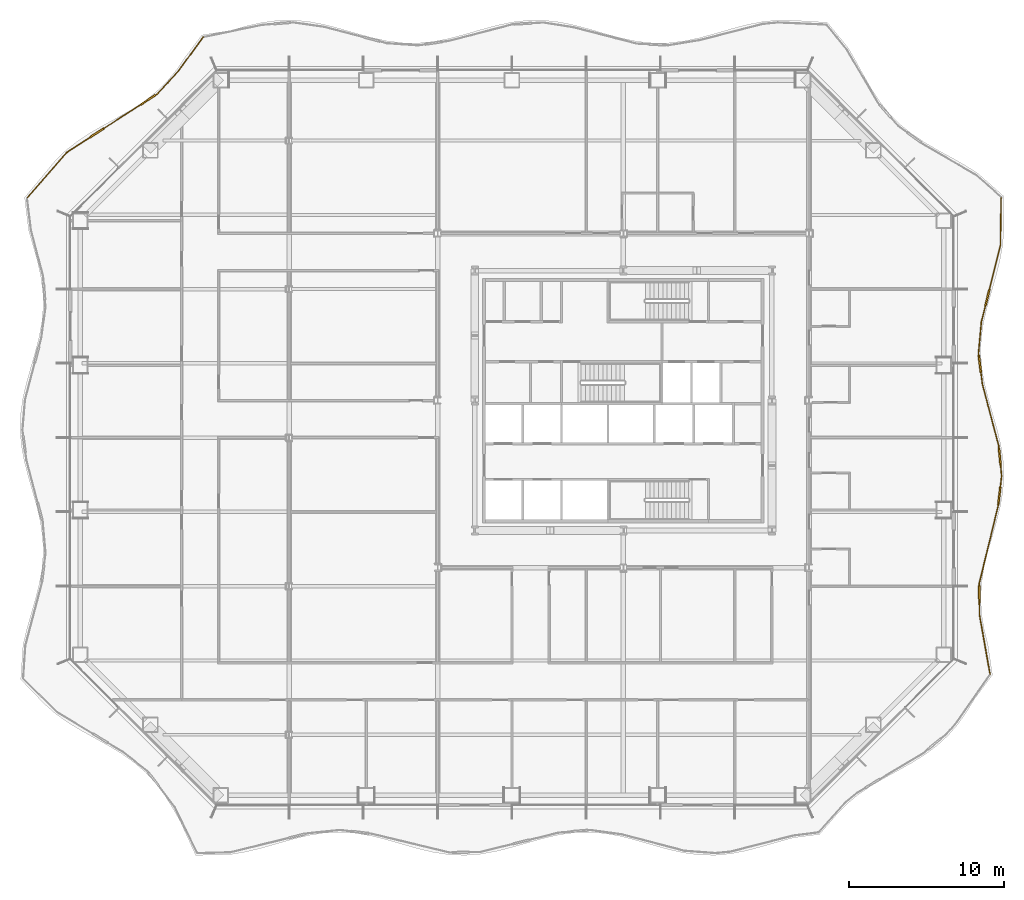
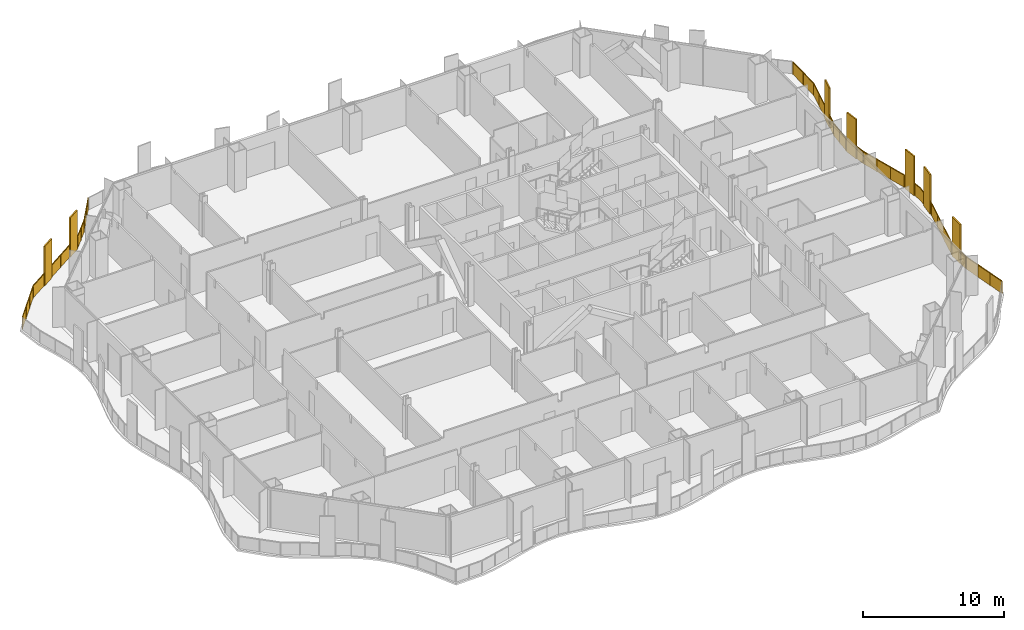
# One storey, part 18 of 20: 2 railings.
"""IFC4 building model written with IfcOpenShell, lengths in metres."""

from ifc_helpers import new_model, si_unit, direction, frame, origin, origin_2d, place, context, subcontext, project, spatial, polyline, rectangle, outline, extrude, material, type_object, element, save


model = new_model("IFC4")

# Units and contexts
model_context = context("Model", 3, precision=1e-05, world=origin(), true_north=direction((0.0, 1.0)))
body_context = subcontext(model_context, "Body", "Model", "MODEL_VIEW")
ifc_project = project(units=[si_unit("LENGTHUNIT", "METRE"), si_unit("AREAUNIT", "SQUARE_METRE"), si_unit("VOLUMEUNIT", "CUBIC_METRE"), si_unit("PLANEANGLEUNIT", "RADIAN"), si_unit("MASSUNIT", "GRAM", prefix="KILO")], contexts=[model_context])

# Site, building, storey
site_placement = place(None, origin())
site = spatial("IfcSite", under=ifc_project, at=site_placement, CompositionType="ELEMENT")
building_placement = place(site_placement, origin())
building = spatial("IfcBuilding", under=site, at=building_placement, Name="Cairn Pilgrim Tower", CompositionType="ELEMENT")
storey_placement = place(building_placement, frame((0.0, 0.0, 51.0)))
storey = spatial("IfcBuildingStorey", under=building, at=storey_placement, Name="L10", CompositionType="ELEMENT", Elevation=51.0)

# Railings
ifc_material = material(Name="Bronze anodised aluminium rail, posts and fin screens with laminated glass infill", Category="aluminium")
railing_type = type_object("IfcRailingType", Name="BALCONY GUARD WITH FIN SCREENS", PredefinedType="GUARDRAIL", material=ifc_material)
railing_1_placement = place(storey_placement, frame((30.8984375, -15.2998046875, 0.0)))
element("IfcRailing", 1, at=railing_1_placement, inside=storey, type_object=railing_type, Name="Balcony guard BGF-3 with fin screens", PredefinedType="GUARDRAIL", context=body_context, shape_type="SweptSolid", body=[
    extrude(rectangle(XDim=0.050048828125, YDim=0.050048828125, at=origin_2d()), frame((0.0, 0.0, 1.0751953125), z_axis=(-0.17480693938, 0.984602728995, 0.0), x_axis=(-0.984602728995, -0.17480693938, 0.0)), (0.0, 0.0, 1.0), 3.926025390625),
    extrude(rectangle(XDim=1.10009765625, YDim=0.110107421875, at=origin_2d()), frame((-0.69384765625, 5.182861328125, 0.0), z_axis=(0.0, 0.0, 1.0), x_axis=(-0.005687914766, 0.999983823682, 0.0)), (0.0, 0.0, 1.0), 3.39990234375),
    extrude(rectangle(XDim=0.050048828125, YDim=0.050048828125, at=origin_2d()), frame((-0.686279296875, 3.865478515625, 1.0751953125), z_axis=(-0.005687914766, 0.999983823682, 0.0), x_axis=(-0.999983823682, -0.005687914766, 0.0)), (0.0, 0.0, 1.0), 0.767578125),
    extrude(rectangle(XDim=0.050048828125, YDim=0.050048828125, at=origin_2d()), frame((-0.697021484375, 5.73291015625, 1.0751953125), z_axis=(-0.005687914766, 0.999983823682, 0.0), x_axis=(-0.999983823682, -0.005687914766, 0.0)), (0.0, 0.0, 1.0), 0.14990234375),
    extrude(rectangle(XDim=0.050048828125, YDim=0.050048828125, at=origin_2d()), frame((-0.69775390625, 5.8828125, 1.0751953125), z_axis=(0.236731159612, 0.971575194243, 0.0), x_axis=(-0.971575194243, 0.236731159612, 0.0)), (0.0, 0.0, 1.0), 5.120361328125),
    extrude(rectangle(XDim=1.10009765625, YDim=0.110107421875, at=origin_2d()), frame((0.597900390625, 11.552734375, 0.0), z_axis=(0.0, 0.0, 1.0), x_axis=(0.119286575006, 0.992859865753, 0.0)), (0.0, 0.0, 1.0), 3.39990234375),
    extrude(rectangle(XDim=0.050048828125, YDim=0.050048828125, at=origin_2d()), frame((0.514404296875, 10.857666015625, 1.0751953125), z_axis=(0.119286575006, 0.992859865753, 0.0), x_axis=(-0.992859865753, 0.119286575006, 0.0)), (0.0, 0.0, 1.0), 0.14990234375),
    extrude(rectangle(XDim=0.050048828125, YDim=0.050048828125, at=origin_2d()), frame((0.66357421875, 12.0986328125, 1.0751953125), z_axis=(0.119286575006, 0.992859865753, 0.0), x_axis=(-0.992859865753, 0.119286575006, 0.0)), (0.0, 0.0, 1.0), 0.72509765625),
    extrude(rectangle(XDim=1.10009765625, YDim=0.110107421875, at=origin_2d()), frame((0.62646484375, 14.079833984375, 0.0), z_axis=(0.0, 0.0, 1.0), x_axis=(-0.09753768333, 0.995231832454, 0.0)), (0.0, 0.0, 1.0), 3.39990234375),
    extrude(rectangle(XDim=0.050048828125, YDim=0.050048828125, at=origin_2d()), frame((0.75, 12.818603515625, 1.0751953125), z_axis=(-0.09753768333, 0.995231832454, 0.0), x_axis=(-0.995231832454, -0.09753768333, 0.0)), (0.0, 0.0, 1.0), 0.71728515625),
    extrude(rectangle(XDim=0.050048828125, YDim=0.050048828125, at=origin_2d()), frame((0.57275390625, 14.627197265625, 1.0751953125), z_axis=(-0.09753768333, 0.995231832454, 0.0), x_axis=(-0.995231832454, -0.09753768333, 0.0)), (0.0, 0.0, 1.0), 0.150146484375),
    extrude(rectangle(XDim=0.050048828125, YDim=0.050048828125, at=origin_2d()), frame((0.55810546875, 14.776611328125, 1.0751953125), z_axis=(-0.256286245796, 0.96660093121, 0.0), x_axis=(-0.96660093121, -0.256286245796, 0.0)), (0.0, 0.0, 1.0), 4.107666015625),
    extrude(rectangle(XDim=1.10009765625, YDim=0.110107421875, at=origin_2d()), frame((-0.660400390625, 20.06494140625, 0.0), z_axis=(0.0, 0.0, 1.0), x_axis=(-0.124834762775, 0.992177545605, 0.0)), (0.0, 0.0, 1.0), 3.39990234375),
    extrude(rectangle(XDim=0.050048828125, YDim=0.050048828125, at=origin_2d()), frame((-0.49462890625, 18.7470703125, 1.0751953125), z_axis=(-0.124834762775, 0.992177545605, 0.0), x_axis=(-0.992177545605, -0.124834762775, 0.0)), (0.0, 0.0, 1.0), 0.7783203125),
    extrude(rectangle(XDim=0.050048828125, YDim=0.050048828125, at=origin_2d()), frame((-0.72900390625, 20.610595703125, 1.0751953125), z_axis=(-0.124834762775, 0.992177545605, 0.0), x_axis=(-0.992177545605, -0.124834762775, 0.0)), (0.0, 0.0, 1.0), 0.14990234375),
    extrude(rectangle(XDim=0.050048828125, YDim=0.050048828125, at=origin_2d()), frame((-0.747802734375, 20.75927734375, 1.0751953125), z_axis=(0.09174382448, 0.995782642282, 0.0), x_axis=(-0.995782642282, 0.09174382448, 0.0)), (0.0, 0.0, 1.0), 2.0224609375),
    extrude(rectangle(XDim=1.10009765625, YDim=0.110107421875, at=origin_2d()), frame((-0.168701171875, 24.35888671875, 0.0), z_axis=(0.0, 0.0, 1.0), x_axis=(0.240871642741, 0.970556980153, 0.0)), (0.0, 0.0, 1.0), 3.39990234375),
    extrude(rectangle(XDim=0.050048828125, YDim=0.050048828125, at=origin_2d()), frame((-0.562255859375, 22.773193359375, 1.0751953125), z_axis=(0.240871642741, 0.970556980153, 0.0), x_axis=(-0.970556980153, 0.240871642741, 0.0)), (0.0, 0.0, 1.0), 1.083740234375),
    extrude(rectangle(XDim=0.050048828125, YDim=0.050048828125, at=origin_2d()), frame((-0.036376953125, 24.892578125, 1.0751953125), z_axis=(0.240871642741, 0.970556980153, 0.0), x_axis=(-0.970556980153, 0.240871642741, 0.0)), (0.0, 0.0, 1.0), 2.9267578125),
    extrude(rectangle(XDim=0.050048828125, YDim=0.050048828125, at=origin_2d()), frame((0.668701171875, 27.733154296875, 1.0751953125), z_axis=(0.015116032128, 0.999885746259, 0.0), x_axis=(-0.999885746259, 0.015116032128, 0.0)), (0.0, 0.0, 1.0), 3.068603515625),
    extrude(rectangle(XDim=0.050048828125, YDim=0.050048828125, at=origin_2d()), origin(), (0.0, 0.0, 1.0), 1.050048828125),
    extrude(rectangle(XDim=0.050048828125, YDim=0.050048828125, at=origin_2d()), frame((-0.228759765625, 1.28857421875, 0.0)), (0.0, 0.0, 1.0), 1.050048828125),
    extrude(rectangle(XDim=0.050048828125, YDim=0.050048828125, at=origin_2d()), frame((-0.45751953125, 2.576904296875, 0.0)), (0.0, 0.0, 1.0), 1.050048828125),
    extrude(rectangle(XDim=0.050048828125, YDim=0.050048828125, at=origin_2d()), frame((-0.686279296875, 3.865478515625, 0.0)), (0.0, 0.0, 1.0), 1.050048828125),
    extrude(rectangle(XDim=0.050048828125, YDim=0.050048828125, at=origin_2d()), frame((-0.6904296875, 4.60791015625, 0.0)), (0.0, 0.0, 1.0), 1.050048828125),
    extrude(rectangle(XDim=0.050048828125, YDim=0.050048828125, at=origin_2d()), frame((-0.697021484375, 5.758056640625, 0.0)), (0.0, 0.0, 1.0), 1.050048828125),
    extrude(rectangle(XDim=0.050048828125, YDim=0.050048828125, at=origin_2d()), frame((-0.69775390625, 5.8828125, 0.0)), (0.0, 0.0, 1.0), 1.050048828125),
    extrude(rectangle(XDim=0.050048828125, YDim=0.050048828125, at=origin_2d()), frame((-0.293701171875, 7.541015625, 0.0)), (0.0, 0.0, 1.0), 1.050048828125),
    extrude(rectangle(XDim=0.050048828125, YDim=0.050048828125, at=origin_2d()), frame((0.1103515625, 9.199462890625, 0.0)), (0.0, 0.0, 1.0), 1.050048828125),
    extrude(rectangle(XDim=0.050048828125, YDim=0.050048828125, at=origin_2d()), frame((0.514404296875, 10.857666015625, 0.0)), (0.0, 0.0, 1.0), 1.050048828125),
    extrude(rectangle(XDim=0.050048828125, YDim=0.050048828125, at=origin_2d()), frame((0.529296875, 10.981689453125, 0.0)), (0.0, 0.0, 1.0), 1.050048828125),
    extrude(rectangle(XDim=0.050048828125, YDim=0.050048828125, at=origin_2d()), frame((0.66650390625, 12.12353515625, 0.0)), (0.0, 0.0, 1.0), 1.050048828125),
    extrude(rectangle(XDim=0.050048828125, YDim=0.050048828125, at=origin_2d()), frame((0.75, 12.818603515625, 0.0)), (0.0, 0.0, 1.0), 1.050048828125),
    extrude(rectangle(XDim=0.050048828125, YDim=0.050048828125, at=origin_2d()), frame((0.682373046875, 13.507568359375, 0.0)), (0.0, 0.0, 1.0), 1.050048828125),
    extrude(rectangle(XDim=0.050048828125, YDim=0.050048828125, at=origin_2d()), frame((0.5703125, 14.652099609375, 0.0)), (0.0, 0.0, 1.0), 1.050048828125),
    extrude(rectangle(XDim=0.050048828125, YDim=0.050048828125, at=origin_2d()), frame((0.55810546875, 14.776611328125, 0.0)), (0.0, 0.0, 1.0), 1.050048828125),
    extrude(rectangle(XDim=0.050048828125, YDim=0.050048828125, at=origin_2d()), frame((0.207275390625, 16.10009765625, 0.0)), (0.0, 0.0, 1.0), 1.050048828125),
    extrude(rectangle(XDim=0.050048828125, YDim=0.050048828125, at=origin_2d()), frame((-0.143798828125, 17.423583984375, 0.0)), (0.0, 0.0, 1.0), 1.050048828125),
    extrude(rectangle(XDim=0.050048828125, YDim=0.050048828125, at=origin_2d()), frame((-0.49462890625, 18.7470703125, 0.0)), (0.0, 0.0, 1.0), 1.050048828125),
    extrude(rectangle(XDim=0.050048828125, YDim=0.050048828125, at=origin_2d()), frame((-0.588623046875, 19.494384765625, 0.0)), (0.0, 0.0, 1.0), 1.050048828125),
    extrude(rectangle(XDim=0.050048828125, YDim=0.050048828125, at=origin_2d()), frame((-0.732177734375, 20.635498046875, 0.0)), (0.0, 0.0, 1.0), 1.050048828125),
    extrude(rectangle(XDim=0.050048828125, YDim=0.050048828125, at=origin_2d()), frame((-0.747802734375, 20.75927734375, 0.0)), (0.0, 0.0, 1.0), 1.050048828125),
    extrude(rectangle(XDim=0.050048828125, YDim=0.050048828125, at=origin_2d()), frame((-0.655029296875, 21.76611328125, 0.0)), (0.0, 0.0, 1.0), 1.050048828125),
    extrude(rectangle(XDim=0.050048828125, YDim=0.050048828125, at=origin_2d()), frame((-0.562255859375, 22.773193359375, 0.0)), (0.0, 0.0, 1.0), 1.050048828125),
    extrude(rectangle(XDim=0.050048828125, YDim=0.050048828125, at=origin_2d()), frame((-0.30712890625, 23.80078125, 0.0)), (0.0, 0.0, 1.0), 1.050048828125),
    extrude(rectangle(XDim=0.050048828125, YDim=0.050048828125, at=origin_2d()), frame((-0.0302734375, 24.9169921875, 0.0)), (0.0, 0.0, 1.0), 1.050048828125),
    extrude(rectangle(XDim=0.050048828125, YDim=0.050048828125, at=origin_2d()), frame((0.3193359375, 26.324951171875, 0.0)), (0.0, 0.0, 1.0), 1.050048828125),
    extrude(rectangle(XDim=0.050048828125, YDim=0.050048828125, at=origin_2d()), frame((0.668701171875, 27.733154296875, 0.0)), (0.0, 0.0, 1.0), 1.050048828125),
    extrude(rectangle(XDim=0.050048828125, YDim=0.050048828125, at=origin_2d()), frame((0.69189453125, 29.267333984375, 0.0)), (0.0, 0.0, 1.0), 1.050048828125),
    extrude(rectangle(XDim=0.050048828125, YDim=0.050048828125, at=origin_2d()), frame((0.715087890625, 30.801513671875, 0.0)), (0.0, 0.0, 1.0), 1.050048828125),
    extrude(outline(polyline([(0.02490234375, 0.0), (1.28369140625, 0.0), (1.28369140625, 1.050048828125), (0.02490234375, 1.050048828125), (0.02490234375, 0.0)])), frame((-0.005859375, -0.0009765625, 0.0), z_axis=(0.984602728995, 0.17480693938, 0.0), x_axis=(-0.17480693938, 0.984602728995, 0.0)), (0.0, 0.0, 1.0), 0.011962890625),
    extrude(outline(polyline([(0.02490234375, 0.0), (1.28369140625, 0.0), (1.28369140625, 1.050048828125), (0.02490234375, 1.050048828125), (0.02490234375, 0.0)])), frame((-0.234619140625, 1.287353515625, 0.0), z_axis=(0.984602728995, 0.17480693938, 0.0), x_axis=(-0.17480693938, 0.984602728995, 0.0)), (0.0, 0.0, 1.0), 0.011962890625),
    extrude(outline(polyline([(0.02490234375, 0.0), (1.28369140625, 0.0), (1.28369140625, 1.050048828125), (0.02490234375, 1.050048828125), (0.02490234375, 0.0)])), frame((-0.46337890625, 2.575927734375, 0.0), z_axis=(0.984602728995, 0.17480693938, 0.0), x_axis=(-0.17480693938, 0.984602728995, 0.0)), (0.0, 0.0, 1.0), 0.011962890625),
    extrude(outline(polyline([(0.02490234375, 0.0), (0.717529296875, 0.0), (0.717529296875, 1.050048828125), (0.02490234375, 1.050048828125), (0.02490234375, 0.0)])), frame((-0.692138671875, 3.865478515625, 0.0), z_axis=(0.999983823682, 0.005687914766, 0.0), x_axis=(-0.005687914766, 0.999983823682, 0.0)), (0.0, 0.0, 1.0), 0.011962890625),
    extrude(outline(polyline([(0.02490234375, 0.0), (0.099853515625, 0.0), (0.099853515625, 1.050048828125), (0.02490234375, 1.050048828125), (0.02490234375, 0.0)])), frame((-0.703125, 5.7578125, 0.0), z_axis=(0.999983823682, 0.005687914766, 0.0), x_axis=(-0.005687914766, 0.999983823682, 0.0)), (0.0, 0.0, 1.0), 0.011962890625),
    extrude(outline(polyline([(0.02490234375, 0.0), (1.681884765625, 0.0), (1.681884765625, 1.050048828125), (0.02490234375, 1.050048828125), (0.02490234375, 0.0)])), frame((-0.70361328125, 5.88427734375, 0.0), z_axis=(0.971575194243, -0.236731159612, 0.0), x_axis=(0.236731159612, 0.971575194243, 0.0)), (0.0, 0.0, 1.0), 0.011962890625),
    extrude(outline(polyline([(0.02490234375, 0.0), (1.681884765625, 0.0), (1.681884765625, 1.050048828125), (0.02490234375, 1.050048828125), (0.02490234375, 0.0)])), frame((-0.299560546875, 7.54248046875, 0.0), z_axis=(0.971575194243, -0.236731159612, 0.0), x_axis=(0.236731159612, 0.971575194243, 0.0)), (0.0, 0.0, 1.0), 0.011962890625),
    extrude(outline(polyline([(0.02490234375, 0.0), (1.681884765625, 0.0), (1.681884765625, 1.050048828125), (0.02490234375, 1.050048828125), (0.02490234375, 0.0)])), frame((0.1044921875, 9.20068359375, 0.0), z_axis=(0.971575194243, -0.236731159612, 0.0), x_axis=(0.236731159612, 0.971575194243, 0.0)), (0.0, 0.0, 1.0), 0.011962890625),
    extrude(outline(polyline([(0.02490234375, 0.0), (0.099853515625, 0.0), (0.099853515625, 1.050048828125), (0.02490234375, 1.050048828125), (0.02490234375, 0.0)])), frame((0.508544921875, 10.8583984375, 0.0), z_axis=(0.992859865753, -0.119286575006, 0.0), x_axis=(0.119286575006, 0.992859865753, 0.0)), (0.0, 0.0, 1.0), 0.011962890625),
    extrude(outline(polyline([(0.02490234375, 0.0), (0.675048828125, 0.0), (0.675048828125, 1.050048828125), (0.02490234375, 1.050048828125), (0.02490234375, 0.0)])), frame((0.66064453125, 12.124267578125, 0.0), z_axis=(0.992859865753, -0.119286575006, 0.0), x_axis=(0.119286575006, 0.992859865753, 0.0)), (0.0, 0.0, 1.0), 0.011962890625),
    extrude(outline(polyline([(0.02490234375, 0.0), (0.667236328125, 0.0), (0.667236328125, 1.050048828125), (0.02490234375, 1.050048828125), (0.02490234375, 0.0)])), frame((0.744140625, 12.818115234375, 0.0), z_axis=(0.995231832454, 0.09753768333, 0.0), x_axis=(-0.09753768333, 0.995231832454, 0.0)), (0.0, 0.0, 1.0), 0.011962890625),
    extrude(outline(polyline([(0.02490234375, 0.0), (0.10009765625, 0.0), (0.10009765625, 1.050048828125), (0.02490234375, 1.050048828125), (0.02490234375, 0.0)])), frame((0.564453125, 14.651611328125, 0.0), z_axis=(0.995231832454, 0.09753768333, 0.0), x_axis=(-0.09753768333, 0.995231832454, 0.0)), (0.0, 0.0, 1.0), 0.011962890625),
    extrude(outline(polyline([(0.02490234375, 0.0), (1.34423828125, 0.0), (1.34423828125, 1.050048828125), (0.02490234375, 1.050048828125), (0.02490234375, 0.0)])), frame((0.55224609375, 14.775146484375, 0.0), z_axis=(0.96660093121, 0.256286245796, 0.0), x_axis=(-0.256286245796, 0.96660093121, 0.0)), (0.0, 0.0, 1.0), 0.011962890625),
    extrude(outline(polyline([(0.02490234375, 0.0), (1.34423828125, 0.0), (1.34423828125, 1.050048828125), (0.02490234375, 1.050048828125), (0.02490234375, 0.0)])), frame((0.201416015625, 16.0986328125, 0.0), z_axis=(0.96660093121, 0.256286245796, 0.0), x_axis=(-0.256286245796, 0.96660093121, 0.0)), (0.0, 0.0, 1.0), 0.011962890625),
    extrude(outline(polyline([(0.02490234375, 0.0), (1.34423828125, 0.0), (1.34423828125, 1.050048828125), (0.02490234375, 1.050048828125), (0.02490234375, 0.0)])), frame((-0.1494140625, 17.422119140625, 0.0), z_axis=(0.96660093121, 0.256286245796, 0.0), x_axis=(-0.256286245796, 0.96660093121, 0.0)), (0.0, 0.0, 1.0), 0.011962890625),
    extrude(outline(polyline([(0.02490234375, 0.0), (0.728271484375, 0.0), (0.728271484375, 1.050048828125), (0.02490234375, 1.050048828125), (0.02490234375, 0.0)])), frame((-0.50048828125, 18.746337890625, 0.0), z_axis=(0.992177545605, 0.124834762775, 0.0), x_axis=(-0.124834762775, 0.992177545605, 0.0)), (0.0, 0.0, 1.0), 0.011962890625),
    extrude(outline(polyline([(0.02490234375, 0.0), (0.099853515625, 0.0), (0.099853515625, 1.050048828125), (0.02490234375, 1.050048828125), (0.02490234375, 0.0)])), frame((-0.738037109375, 20.634765625, 0.0), z_axis=(0.992177545605, 0.124834762775, 0.0), x_axis=(-0.124834762775, 0.992177545605, 0.0)), (0.0, 0.0, 1.0), 0.011962890625),
    extrude(outline(polyline([(0.02490234375, 0.0), (0.986083984375, 0.0), (0.986083984375, 1.050048828125), (0.02490234375, 1.050048828125), (0.02490234375, 0.0)])), frame((-0.753662109375, 20.759765625, 0.0), z_axis=(0.995782642282, -0.09174382448, 0.0), x_axis=(0.09174382448, 0.995782642282, 0.0)), (0.0, 0.0, 1.0), 0.011962890625),
    extrude(outline(polyline([(0.02490234375, 0.0), (0.986083984375, 0.0), (0.986083984375, 1.050048828125), (0.02490234375, 1.050048828125), (0.02490234375, 0.0)])), frame((-0.660888671875, 21.766845703125, 0.0), z_axis=(0.995782642282, -0.09174382448, 0.0), x_axis=(0.09174382448, 0.995782642282, 0.0)), (0.0, 0.0, 1.0), 0.011962890625),
    extrude(outline(polyline([(0.02490234375, 0.0), (1.03369140625, 0.0), (1.03369140625, 1.050048828125), (0.02490234375, 1.050048828125), (0.02490234375, 0.0)])), frame((-0.568115234375, 22.774658203125, 0.0), z_axis=(0.970556980153, -0.240871642741, 0.0), x_axis=(0.240871642741, 0.970556980153, 0.0)), (0.0, 0.0, 1.0), 0.011962890625),
    extrude(outline(polyline([(0.02490234375, 0.0), (1.42578125, 0.0), (1.42578125, 1.050048828125), (0.02490234375, 1.050048828125), (0.02490234375, 0.0)])), frame((-0.0361328125, 24.91845703125, 0.0), z_axis=(0.970556980153, -0.240871642741, 0.0), x_axis=(0.240871642741, 0.970556980153, 0.0)), (0.0, 0.0, 1.0), 0.011962890625),
    extrude(outline(polyline([(0.02490234375, 0.0), (1.42578125, 0.0), (1.42578125, 1.050048828125), (0.02490234375, 1.050048828125), (0.02490234375, 0.0)])), frame((0.3134765625, 26.326416015625, 0.0), z_axis=(0.970556980153, -0.240871642741, 0.0), x_axis=(0.240871642741, 0.970556980153, 0.0)), (0.0, 0.0, 1.0), 0.011962890625),
    extrude(outline(polyline([(0.02490234375, 0.0), (1.50927734375, 0.0), (1.50927734375, 1.050048828125), (0.02490234375, 1.050048828125), (0.02490234375, 0.0)])), frame((0.662841796875, 27.733154296875, 0.0), z_axis=(0.999885746259, -0.015116032128, 0.0), x_axis=(0.015116032128, 0.999885746259, 0.0)), (0.0, 0.0, 1.0), 0.011962890625),
    extrude(outline(polyline([(0.02490234375, 0.0), (1.50927734375, 0.0), (1.50927734375, 1.050048828125), (0.02490234375, 1.050048828125), (0.02490234375, 0.0)])), frame((0.68603515625, 29.267333984375, 0.0), z_axis=(0.999885746259, -0.015116032128, 0.0), x_axis=(0.015116032128, 0.999885746259, 0.0)), (0.0, 0.0, 1.0), 0.011962890625),
])
railing_2_placement = place(storey_placement, frame((-19.954345703125, 25.896240234375, 0.0)))
element("IfcRailing", 2, at=railing_2_placement, inside=storey, type_object=railing_type, Name="Balcony guard BGF-6 with fin screens", PredefinedType="GUARDRAIL", context=body_context, shape_type="SweptSolid", body=[
    extrude(rectangle(XDim=0.050048828125, YDim=0.050048828125, at=origin_2d()), frame((0.0, 0.0, 1.0751953125), z_axis=(-0.589425477703, -0.807822756696, 0.0), x_axis=(0.807822756696, -0.589425477703, 0.0)), (0.0, 0.0, 1.0), 2.765625),
    extrude(rectangle(XDim=0.050048828125, YDim=0.050048828125, at=origin_2d()), frame((-1.630126953125, -2.234130859375, 1.0751953125), z_axis=(-0.679746766572, -0.733446885149, 0.0), x_axis=(0.733446885149, -0.679746766572, 0.0)), (0.0, 0.0, 1.0), 1.968505859375),
    extrude(rectangle(XDim=1.10009765625, YDim=0.110107421875, at=origin_2d()), frame((-3.55615234375, -4.05810546875, 0.0), z_axis=(0.0, 0.0, 1.0), x_axis=(-0.8398031786, -0.54289098465, 0.0)), (0.0, 0.0, 1.0), 3.39990234375),
    extrude(rectangle(XDim=1.10009765625, YDim=0.110107421875, at=origin_2d()), frame((-6.8896484375, -6.212890625, 0.0), z_axis=(0.0, 0.0, 1.0), x_axis=(-0.8398031786, -0.54289098465, 0.0)), (0.0, 0.0, 1.0), 3.39990234375),
    extrude(rectangle(XDim=0.050048828125, YDim=0.050048828125, at=origin_2d()), frame((-2.96826171875, -3.677978515625, 1.0751953125), z_axis=(-0.8398031786, -0.54289098465, 0.0), x_axis=(0.54289098465, -0.8398031786, 0.0)), (0.0, 0.0, 1.0), 0.14990234375),
    extrude(rectangle(XDim=0.050048828125, YDim=0.050048828125, at=origin_2d()), frame((-4.01806640625, -4.356689453125, 1.0751953125), z_axis=(-0.8398031786, -0.54289098465, 0.0), x_axis=(0.54289098465, -0.8398031786, 0.0)), (0.0, 0.0, 1.0), 2.869384765625),
    extrude(rectangle(XDim=0.050048828125, YDim=0.050048828125, at=origin_2d()), frame((-7.3515625, -6.51171875, 1.0751953125), z_axis=(-0.8398031786, -0.54289098465, 0.0), x_axis=(0.54289098465, -0.8398031786, 0.0)), (0.0, 0.0, 1.0), 1.72119140625),
    extrude(rectangle(XDim=0.050048828125, YDim=0.050048828125, at=origin_2d()), frame((-8.797119140625, -7.446044921875, 1.0751953125), z_axis=(-0.657687032309, -0.753291289962, 0.0), x_axis=(0.753291289962, -0.657687032309, 0.0)), (0.0, 0.0, 1.0), 3.891845703125),
    extrude(rectangle(XDim=0.050048828125, YDim=0.050048828125, at=origin_2d()), origin(), (0.0, 0.0, 1.0), 1.050048828125),
    extrude(rectangle(XDim=0.050048828125, YDim=0.050048828125, at=origin_2d()), frame((-0.815185546875, -1.1171875, 0.0)), (0.0, 0.0, 1.0), 1.050048828125),
    extrude(rectangle(XDim=0.050048828125, YDim=0.050048828125, at=origin_2d()), frame((-1.630126953125, -2.234130859375, 0.0)), (0.0, 0.0, 1.0), 1.050048828125),
    extrude(rectangle(XDim=0.050048828125, YDim=0.050048828125, at=origin_2d()), frame((-2.29931640625, -2.9560546875, 0.0)), (0.0, 0.0, 1.0), 1.050048828125),
    extrude(rectangle(XDim=0.050048828125, YDim=0.050048828125, at=origin_2d()), frame((-2.96826171875, -3.677978515625, 0.0)), (0.0, 0.0, 1.0), 1.050048828125),
    extrude(rectangle(XDim=0.050048828125, YDim=0.050048828125, at=origin_2d()), frame((-3.0732421875, -3.745849609375, 0.0)), (0.0, 0.0, 1.0), 1.050048828125),
    extrude(rectangle(XDim=0.050048828125, YDim=0.050048828125, at=origin_2d()), frame((-4.0390625, -4.3701171875, 0.0)), (0.0, 0.0, 1.0), 1.050048828125),
    extrude(rectangle(XDim=0.050048828125, YDim=0.050048828125, at=origin_2d()), frame((-5.222900390625, -5.135498046875, 0.0)), (0.0, 0.0, 1.0), 1.050048828125),
    extrude(rectangle(XDim=0.050048828125, YDim=0.050048828125, at=origin_2d()), frame((-6.40673828125, -5.90087890625, 0.0)), (0.0, 0.0, 1.0), 1.050048828125),
    extrude(rectangle(XDim=0.050048828125, YDim=0.050048828125, at=origin_2d()), frame((-7.37255859375, -6.525146484375, 0.0)), (0.0, 0.0, 1.0), 1.050048828125),
    extrude(rectangle(XDim=0.050048828125, YDim=0.050048828125, at=origin_2d()), frame((-8.797119140625, -7.446044921875, 0.0)), (0.0, 0.0, 1.0), 1.050048828125),
    extrude(rectangle(XDim=0.050048828125, YDim=0.050048828125, at=origin_2d()), frame((-9.650390625, -8.42333984375, 0.0)), (0.0, 0.0, 1.0), 1.050048828125),
    extrude(rectangle(XDim=0.050048828125, YDim=0.050048828125, at=origin_2d()), frame((-10.50341796875, -9.400390625, 0.0)), (0.0, 0.0, 1.0), 1.050048828125),
    extrude(rectangle(XDim=0.050048828125, YDim=0.050048828125, at=origin_2d()), frame((-11.356689453125, -10.377685546875, 0.0)), (0.0, 0.0, 1.0), 1.050048828125),
    extrude(outline(polyline([(0.02490234375, 0.0), (1.357666015625, 0.0), (1.357666015625, 1.050048828125), (0.02490234375, 1.050048828125), (0.02490234375, 0.0)])), frame((0.0048828125, -0.00341796875, 0.0), z_axis=(-0.807822756696, 0.589425477703, 0.0), x_axis=(-0.589425477703, -0.807822756696, 0.0)), (0.0, 0.0, 1.0), 0.011962890625),
    extrude(outline(polyline([(0.02490234375, 0.0), (1.357666015625, 0.0), (1.357666015625, 1.050048828125), (0.02490234375, 1.050048828125), (0.02490234375, 0.0)])), frame((-0.810302734375, -1.12060546875, 0.0), z_axis=(-0.807822756696, 0.589425477703, 0.0), x_axis=(-0.589425477703, -0.807822756696, 0.0)), (0.0, 0.0, 1.0), 0.011962890625),
    extrude(outline(polyline([(0.02490234375, 0.0), (0.959228515625, 0.0), (0.959228515625, 1.050048828125), (0.02490234375, 1.050048828125), (0.02490234375, 0.0)])), frame((-1.625732421875, -2.23828125, 0.0), z_axis=(-0.733446885149, 0.679746766572, 0.0), x_axis=(-0.679746766572, -0.733446885149, 0.0)), (0.0, 0.0, 1.0), 0.011962890625),
    extrude(outline(polyline([(0.02490234375, 0.0), (0.959228515625, 0.0), (0.959228515625, 1.050048828125), (0.02490234375, 1.050048828125), (0.02490234375, 0.0)])), frame((-2.294921875, -2.960205078125, 0.0), z_axis=(-0.733446885149, 0.679746766572, 0.0), x_axis=(-0.679746766572, -0.733446885149, 0.0)), (0.0, 0.0, 1.0), 0.011962890625),
    extrude(outline(polyline([(0.02490234375, 0.0), (0.099853515625, 0.0), (0.099853515625, 1.050048828125), (0.02490234375, 1.050048828125), (0.02490234375, 0.0)])), frame((-2.965087890625, -3.68310546875, 0.0), z_axis=(-0.54289098465, 0.8398031786, 0.0), x_axis=(-0.8398031786, -0.54289098465, 0.0)), (0.0, 0.0, 1.0), 0.011962890625),
    extrude(outline(polyline([(0.02490234375, 0.0), (1.384765625, 0.0), (1.384765625, 1.050048828125), (0.02490234375, 1.050048828125), (0.02490234375, 0.0)])), frame((-4.035888671875, -4.375244140625, 0.0), z_axis=(-0.54289098465, 0.8398031786, 0.0), x_axis=(-0.8398031786, -0.54289098465, 0.0)), (0.0, 0.0, 1.0), 0.011962890625),
    extrude(outline(polyline([(0.02490234375, 0.0), (1.384765625, 0.0), (1.384765625, 1.050048828125), (0.02490234375, 1.050048828125), (0.02490234375, 0.0)])), frame((-5.2197265625, -5.140625, 0.0), z_axis=(-0.54289098465, 0.8398031786, 0.0), x_axis=(-0.8398031786, -0.54289098465, 0.0)), (0.0, 0.0, 1.0), 0.011962890625),
    extrude(outline(polyline([(0.02490234375, 0.0), (1.671142578125, 0.0), (1.671142578125, 1.050048828125), (0.02490234375, 1.050048828125), (0.02490234375, 0.0)])), frame((-7.369384765625, -6.5302734375, 0.0), z_axis=(-0.54289098465, 0.8398031786, 0.0), x_axis=(-0.8398031786, -0.54289098465, 0.0)), (0.0, 0.0, 1.0), 0.011962890625),
    extrude(outline(polyline([(0.02490234375, 0.0), (1.272216796875, 0.0), (1.272216796875, 1.050048828125), (0.02490234375, 1.050048828125), (0.02490234375, 0.0)])), frame((-8.792724609375, -7.449951171875, 0.0), z_axis=(-0.753291289962, 0.657687032309, 0.0), x_axis=(-0.657687032309, -0.753291289962, 0.0)), (0.0, 0.0, 1.0), 0.011962890625),
    extrude(outline(polyline([(0.02490234375, 0.0), (1.272216796875, 0.0), (1.272216796875, 1.050048828125), (0.02490234375, 1.050048828125), (0.02490234375, 0.0)])), frame((-9.645751953125, -8.42724609375, 0.0), z_axis=(-0.753291289962, 0.657687032309, 0.0), x_axis=(-0.657687032309, -0.753291289962, 0.0)), (0.0, 0.0, 1.0), 0.011962890625),
    extrude(outline(polyline([(0.02490234375, 0.0), (1.272216796875, 0.0), (1.272216796875, 1.050048828125), (0.02490234375, 1.050048828125), (0.02490234375, 0.0)])), frame((-10.4990234375, -9.404296875, 0.0), z_axis=(-0.753291289962, 0.657687032309, 0.0), x_axis=(-0.657687032309, -0.753291289962, 0.0)), (0.0, 0.0, 1.0), 0.011962890625),
])

save(model, "model.ifc")
